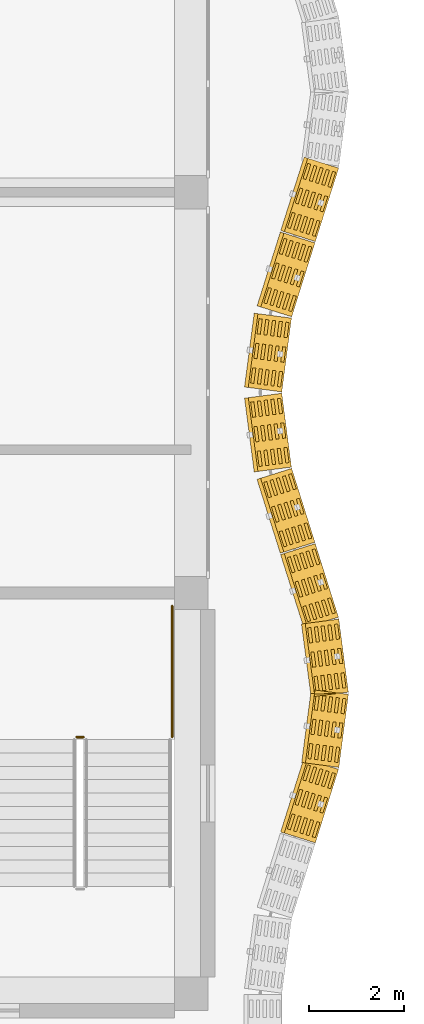
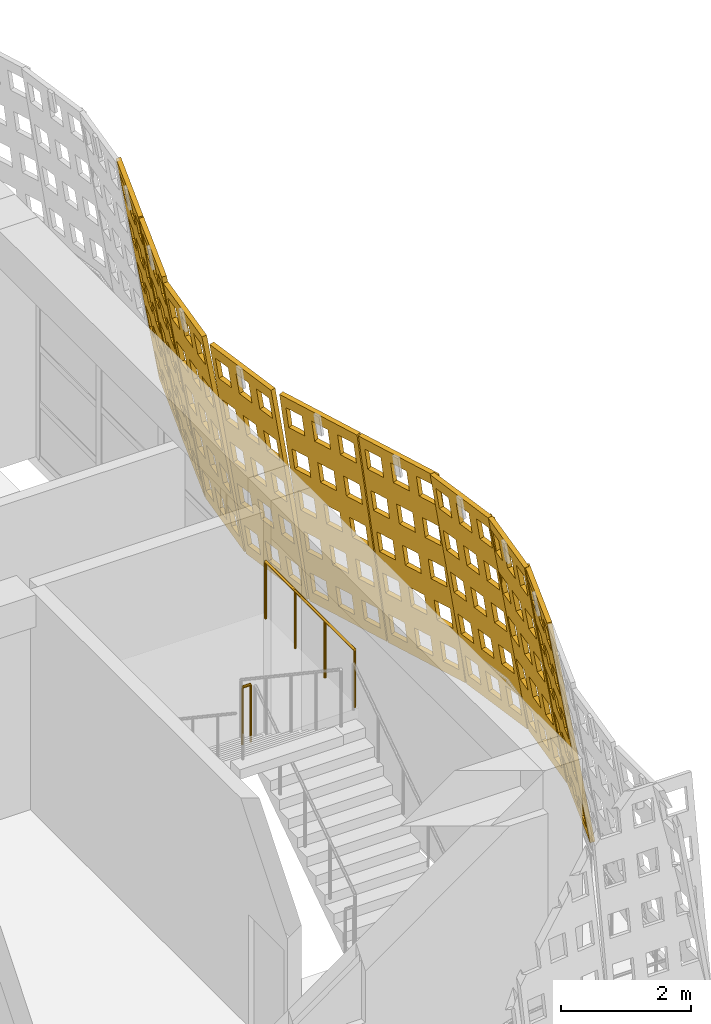
# One storey, part 120 of 162: 9 coverings, 2 railings.
"""IFC4 building model written with IfcOpenShell, lengths in metres."""

from ifc_helpers import new_model, si_unit, direction, frame, origin, origin_2d, place, context, subcontext, project, spatial, polyline, circle, outline, extrude, material, layer, layer_set, type_object, element, save


model = new_model("IFC4")

# Units and contexts
model_context = context("Model", 3, precision=1e-05, world=origin(), true_north=direction((0.0, 1.0)))
body_context = subcontext(model_context, "Body", "Model", "MODEL_VIEW")
ifc_project = project(units=[si_unit("LENGTHUNIT", "METRE"), si_unit("AREAUNIT", "SQUARE_METRE"), si_unit("VOLUMEUNIT", "CUBIC_METRE"), si_unit("PLANEANGLEUNIT", "RADIAN"), si_unit("MASSUNIT", "GRAM", prefix="KILO")], contexts=[model_context])

# Site, building, storey
site_placement = place(None, origin())
site = spatial("IfcSite", under=ifc_project, at=site_placement, CompositionType="ELEMENT")
building_placement = place(site_placement, origin())
building = spatial("IfcBuilding", under=site, at=building_placement, Name="Rain Tree Exposition and Congress Centre", CompositionType="ELEMENT")
storey_placement = place(building_placement, frame((0.0, 0.0, 6.0)))
storey = spatial("IfcBuildingStorey", under=building, at=storey_placement, Name="L01", CompositionType="ELEMENT", Elevation=6.0)

# Coverings
ifc_material_1 = material(Name="Perforated terracotta", Category="masonry")
ifc_layer = layer(ifc_material_1, 0.080078125)
ifc_layer_set = layer_set([ifc_layer], Name="Perforated terracotta")
covering_type = type_object("IfcCoveringType", Name="Terracotta screen 80", PredefinedType="CLADDING", material=ifc_layer_set)
covering_1_placement = place(storey_placement, frame((52.998291015625, 3.150634765625, 0.0126953125), z_axis=(-0.941684688936, 0.296569528658, -0.158985726703), x_axis=(-0.300390227601, -0.953816392794, 0.0)))
element("IfcCovering", 1, at=covering_1_placement, inside=storey, type_object=covering_type, Name="wing/screen/L01/037", PredefinedType="CLADDING", context=body_context, shape_type="SweptSolid", body=[
    extrude(outline(polyline([(-1.62890625, 0.0), (-1.62890625, 4.291259765625), (-0.014892578125, 4.291259765625), (-0.014892578125, 0.0), (-1.62890625, 0.0)]), holes=[polyline([(-0.1171875, 0.221435546875), (-0.1171875, 0.63671875), (-0.45068359375, 0.63671875), (-0.45068359375, 0.221435546875), (-0.1171875, 0.221435546875)]), polyline([(-0.1171875, 1.07958984375), (-0.1171875, 1.4951171875), (-0.45068359375, 1.4951171875), (-0.45068359375, 1.07958984375), (-0.1171875, 1.07958984375)]), polyline([(-0.1171875, 1.93798828125), (-0.1171875, 2.353271484375), (-0.45068359375, 2.353271484375), (-0.45068359375, 1.93798828125), (-0.1171875, 1.93798828125)]), polyline([(-0.1171875, 2.796142578125), (-0.1171875, 3.21142578125), (-0.45068359375, 3.21142578125), (-0.45068359375, 2.796142578125), (-0.1171875, 2.796142578125)]), polyline([(-0.1171875, 3.654541015625), (-0.1171875, 4.06982421875), (-0.45068359375, 4.06982421875), (-0.45068359375, 3.654541015625), (-0.1171875, 3.654541015625)]), polyline([(-0.6552734375, 0.221435546875), (-0.6552734375, 0.63671875), (-0.98876953125, 0.63671875), (-0.98876953125, 0.221435546875), (-0.6552734375, 0.221435546875)]), polyline([(-0.6552734375, 1.07958984375), (-0.6552734375, 1.4951171875), (-0.98876953125, 1.4951171875), (-0.98876953125, 1.07958984375), (-0.6552734375, 1.07958984375)]), polyline([(-0.6552734375, 1.93798828125), (-0.6552734375, 2.353271484375), (-0.98876953125, 2.353271484375), (-0.98876953125, 1.93798828125), (-0.6552734375, 1.93798828125)]), polyline([(-0.6552734375, 2.796142578125), (-0.6552734375, 3.21142578125), (-0.98876953125, 3.21142578125), (-0.98876953125, 2.796142578125), (-0.6552734375, 2.796142578125)]), polyline([(-0.6552734375, 3.654541015625), (-0.6552734375, 4.06982421875), (-0.98876953125, 4.06982421875), (-0.98876953125, 3.654541015625), (-0.6552734375, 3.654541015625)]), polyline([(-1.193115234375, 0.221435546875), (-1.193115234375, 0.63671875), (-1.526611328125, 0.63671875), (-1.526611328125, 0.221435546875), (-1.193115234375, 0.221435546875)]), polyline([(-1.193115234375, 1.07958984375), (-1.193115234375, 1.4951171875), (-1.526611328125, 1.4951171875), (-1.526611328125, 1.07958984375), (-1.193115234375, 1.07958984375)]), polyline([(-1.193115234375, 1.93798828125), (-1.193115234375, 2.353271484375), (-1.526611328125, 2.353271484375), (-1.526611328125, 1.93798828125), (-1.193115234375, 1.93798828125)]), polyline([(-1.193115234375, 2.796142578125), (-1.193115234375, 3.21142578125), (-1.526611328125, 3.21142578125), (-1.526611328125, 2.796142578125), (-1.193115234375, 2.796142578125)]), polyline([(-1.193115234375, 3.654541015625), (-1.193115234375, 4.06982421875), (-1.526611328125, 4.06982421875), (-1.526611328125, 3.654541015625), (-1.193115234375, 3.654541015625)])]), origin(), (0.0, 0.0, 1.0), 0.079833984375),
])
covering_2_placement = place(storey_placement, frame((53.4931640625, 4.725341796875, 0.01318359375), z_axis=(-0.978036007662, 0.127967328105, -0.16452942185), x_axis=(-0.129735338481, -0.991548658387, 0.0)))
element("IfcCovering", 2, at=covering_2_placement, inside=storey, type_object=covering_type, Name="wing/screen/L01/038", PredefinedType="CLADDING", context=body_context, shape_type="SweptSolid", body=[
    extrude(outline(polyline([(-1.56298828125, 0.0), (-1.56298828125, 4.295166015625), (-0.02197265625, 4.295166015625), (-0.02197265625, 0.0), (-1.56298828125, 0.0)]), holes=[polyline([(-0.11962890625, 0.2216796875), (-0.11962890625, 0.63720703125), (-0.43798828125, 0.63720703125), (-0.43798828125, 0.2216796875), (-0.11962890625, 0.2216796875)]), polyline([(-0.11962890625, 1.080810546875), (-0.11962890625, 1.496337890625), (-0.43798828125, 1.496337890625), (-0.43798828125, 1.080810546875), (-0.11962890625, 1.080810546875)]), polyline([(-0.11962890625, 1.939697265625), (-0.11962890625, 2.35546875), (-0.43798828125, 2.35546875), (-0.43798828125, 1.939697265625), (-0.11962890625, 1.939697265625)]), polyline([(-0.11962890625, 2.798583984375), (-0.11962890625, 3.21435546875), (-0.43798828125, 3.21435546875), (-0.43798828125, 2.798583984375), (-0.11962890625, 2.798583984375)]), polyline([(-0.11962890625, 3.65771484375), (-0.11962890625, 4.073486328125), (-0.43798828125, 4.073486328125), (-0.43798828125, 3.65771484375), (-0.11962890625, 3.65771484375)]), polyline([(-0.63330078125, 0.2216796875), (-0.63330078125, 0.63720703125), (-0.95166015625, 0.63720703125), (-0.95166015625, 0.2216796875), (-0.63330078125, 0.2216796875)]), polyline([(-0.63330078125, 1.080810546875), (-0.63330078125, 1.496337890625), (-0.95166015625, 1.496337890625), (-0.95166015625, 1.080810546875), (-0.63330078125, 1.080810546875)]), polyline([(-0.63330078125, 1.939697265625), (-0.63330078125, 2.35546875), (-0.95166015625, 2.35546875), (-0.95166015625, 1.939697265625), (-0.63330078125, 1.939697265625)]), polyline([(-0.63330078125, 2.798583984375), (-0.63330078125, 3.21435546875), (-0.95166015625, 3.21435546875), (-0.95166015625, 2.798583984375), (-0.63330078125, 2.798583984375)]), polyline([(-0.63330078125, 3.65771484375), (-0.63330078125, 4.073486328125), (-0.95166015625, 4.073486328125), (-0.95166015625, 3.65771484375), (-0.63330078125, 3.65771484375)]), polyline([(-1.146728515625, 0.2216796875), (-1.146728515625, 0.63720703125), (-1.46533203125, 0.63720703125), (-1.46533203125, 0.2216796875), (-1.146728515625, 0.2216796875)]), polyline([(-1.146728515625, 1.080810546875), (-1.146728515625, 1.496337890625), (-1.46533203125, 1.496337890625), (-1.46533203125, 1.080810546875), (-1.146728515625, 1.080810546875)]), polyline([(-1.146728515625, 1.939697265625), (-1.146728515625, 2.35546875), (-1.46533203125, 2.35546875), (-1.46533203125, 1.939697265625), (-1.146728515625, 1.939697265625)]), polyline([(-1.146728515625, 2.798583984375), (-1.146728515625, 3.21435546875), (-1.46533203125, 3.21435546875), (-1.46533203125, 2.798583984375), (-1.146728515625, 2.798583984375)]), polyline([(-1.146728515625, 3.65771484375), (-1.146728515625, 4.073486328125), (-1.46533203125, 4.073486328125), (-1.46533203125, 3.65771484375), (-1.146728515625, 3.65771484375)])]), origin(), (0.0, 0.0, 1.0), 0.080078125),
])
covering_3_placement = place(storey_placement, frame((53.697998046875, 6.2998046875, 0.01318359375), z_axis=(-0.9779030419, -0.128349774249, -0.165021138321), x_axis=(0.130133906157, -0.991496427865, 0.0)))
element("IfcCovering", 3, at=covering_3_placement, inside=storey, type_object=covering_type, Name="wing/screen/L01/039", PredefinedType="CLADDING", context=body_context, shape_type="SweptSolid", body=[
    extrude(outline(polyline([(-1.56640625, 0.0), (-1.56640625, 4.295166015625), (-0.025390625, 4.295166015625), (-0.025390625, 0.0), (-1.56640625, 0.0)]), holes=[polyline([(-0.123046875, 0.2216796875), (-0.123046875, 0.63720703125), (-0.44140625, 0.63720703125), (-0.44140625, 0.2216796875), (-0.123046875, 0.2216796875)]), polyline([(-0.123046875, 1.080810546875), (-0.123046875, 1.496337890625), (-0.44140625, 1.496337890625), (-0.44140625, 1.080810546875), (-0.123046875, 1.080810546875)]), polyline([(-0.123046875, 1.939697265625), (-0.123046875, 2.35546875), (-0.44140625, 2.35546875), (-0.44140625, 1.939697265625), (-0.123046875, 1.939697265625)]), polyline([(-0.123046875, 2.798583984375), (-0.123046875, 3.21435546875), (-0.44140625, 3.21435546875), (-0.44140625, 2.798583984375), (-0.123046875, 2.798583984375)]), polyline([(-0.123046875, 3.65771484375), (-0.123046875, 4.073486328125), (-0.44140625, 4.073486328125), (-0.44140625, 3.65771484375), (-0.123046875, 3.65771484375)]), polyline([(-0.63671875, 0.2216796875), (-0.63671875, 0.63720703125), (-0.955078125, 0.63720703125), (-0.955078125, 0.2216796875), (-0.63671875, 0.2216796875)]), polyline([(-0.63671875, 1.080810546875), (-0.63671875, 1.496337890625), (-0.955078125, 1.496337890625), (-0.955078125, 1.080810546875), (-0.63671875, 1.080810546875)]), polyline([(-0.63671875, 1.939697265625), (-0.63671875, 2.35546875), (-0.955078125, 2.35546875), (-0.955078125, 1.939697265625), (-0.63671875, 1.939697265625)]), polyline([(-0.63671875, 2.798583984375), (-0.63671875, 3.21435546875), (-0.955078125, 3.21435546875), (-0.955078125, 2.798583984375), (-0.63671875, 2.798583984375)]), polyline([(-0.63671875, 3.65771484375), (-0.63671875, 4.073486328125), (-0.955078125, 4.073486328125), (-0.955078125, 3.65771484375), (-0.63671875, 3.65771484375)]), polyline([(-1.150146484375, 0.2216796875), (-1.150146484375, 0.63720703125), (-1.46875, 0.63720703125), (-1.46875, 0.2216796875), (-1.150146484375, 0.2216796875)]), polyline([(-1.150146484375, 1.080810546875), (-1.150146484375, 1.496337890625), (-1.46875, 1.496337890625), (-1.46875, 1.080810546875), (-1.150146484375, 1.080810546875)]), polyline([(-1.150146484375, 1.939697265625), (-1.150146484375, 2.35546875), (-1.46875, 2.35546875), (-1.46875, 1.939697265625), (-1.150146484375, 1.939697265625)]), polyline([(-1.150146484375, 2.798583984375), (-1.150146484375, 3.21435546875), (-1.46875, 3.21435546875), (-1.46875, 2.798583984375), (-1.150146484375, 2.798583984375)]), polyline([(-1.150146484375, 3.65771484375), (-1.150146484375, 4.073486328125), (-1.46875, 4.073486328125), (-1.46875, 3.65771484375), (-1.150146484375, 3.65771484375)])]), origin(), (0.0, 0.0, 1.0), 0.079833984375),
])
covering_4_placement = place(storey_placement, frame((53.493408203125, 7.87451171875, 0.0126953125), z_axis=(-0.941176896939, -0.298496232686, -0.158385756119), x_axis=(0.302312226207, -0.953208958144, 0.0)))
element("IfcCovering", 4, at=covering_4_placement, inside=storey, type_object=covering_type, Name="wing/screen/L01/040", PredefinedType="CLADDING", context=body_context, shape_type="SweptSolid", body=[
    extrude(outline(polyline([(-1.635986328125, 0.0), (-1.635986328125, 4.291259765625), (-0.02197265625, 4.291259765625), (-0.02197265625, 0.0), (-1.635986328125, 0.0)]), holes=[polyline([(-0.124267578125, 0.221435546875), (-0.124267578125, 0.63671875), (-0.457763671875, 0.63671875), (-0.457763671875, 0.221435546875), (-0.124267578125, 0.221435546875)]), polyline([(-0.124267578125, 1.07958984375), (-0.124267578125, 1.4951171875), (-0.457763671875, 1.4951171875), (-0.457763671875, 1.07958984375), (-0.124267578125, 1.07958984375)]), polyline([(-0.124267578125, 1.93798828125), (-0.124267578125, 2.353271484375), (-0.457763671875, 2.353271484375), (-0.457763671875, 1.93798828125), (-0.124267578125, 1.93798828125)]), polyline([(-0.124267578125, 2.796142578125), (-0.124267578125, 3.21142578125), (-0.457763671875, 3.21142578125), (-0.457763671875, 2.796142578125), (-0.124267578125, 2.796142578125)]), polyline([(-0.124267578125, 3.654541015625), (-0.124267578125, 4.06982421875), (-0.457763671875, 4.06982421875), (-0.457763671875, 3.654541015625), (-0.124267578125, 3.654541015625)]), polyline([(-0.662109375, 0.221435546875), (-0.662109375, 0.63671875), (-0.995849609375, 0.63671875), (-0.995849609375, 0.221435546875), (-0.662109375, 0.221435546875)]), polyline([(-0.662109375, 1.07958984375), (-0.662109375, 1.4951171875), (-0.995849609375, 1.4951171875), (-0.995849609375, 1.07958984375), (-0.662109375, 1.07958984375)]), polyline([(-0.662109375, 1.93798828125), (-0.662109375, 2.353271484375), (-0.995849609375, 2.353271484375), (-0.995849609375, 1.93798828125), (-0.662109375, 1.93798828125)]), polyline([(-0.662109375, 2.796142578125), (-0.662109375, 3.21142578125), (-0.995849609375, 3.21142578125), (-0.995849609375, 2.796142578125), (-0.662109375, 2.796142578125)]), polyline([(-0.662109375, 3.654541015625), (-0.662109375, 4.06982421875), (-0.995849609375, 4.06982421875), (-0.995849609375, 3.654541015625), (-0.662109375, 3.654541015625)]), polyline([(-1.2001953125, 0.221435546875), (-1.2001953125, 0.63671875), (-1.53369140625, 0.63671875), (-1.53369140625, 0.221435546875), (-1.2001953125, 0.221435546875)]), polyline([(-1.2001953125, 1.07958984375), (-1.2001953125, 1.4951171875), (-1.53369140625, 1.4951171875), (-1.53369140625, 1.07958984375), (-1.2001953125, 1.07958984375)]), polyline([(-1.2001953125, 1.93798828125), (-1.2001953125, 2.353271484375), (-1.53369140625, 2.353271484375), (-1.53369140625, 1.93798828125), (-1.2001953125, 1.93798828125)]), polyline([(-1.2001953125, 2.796142578125), (-1.2001953125, 3.21142578125), (-1.53369140625, 3.21142578125), (-1.53369140625, 2.796142578125), (-1.2001953125, 2.796142578125)]), polyline([(-1.2001953125, 3.654541015625), (-1.2001953125, 4.06982421875), (-1.53369140625, 4.06982421875), (-1.53369140625, 3.654541015625), (-1.2001953125, 3.654541015625)])]), origin(), (0.0, 0.0, 1.0), 0.080078125),
])
covering_5_placement = place(storey_placement, frame((52.998291015625, 9.449462890625, 0.0126953125), z_axis=(-0.941684688936, -0.296569528658, -0.158985726703), x_axis=(0.300390227601, -0.953816392794, 0.0)))
element("IfcCovering", 5, at=covering_5_placement, inside=storey, type_object=covering_type, Name="wing/screen/L01/041", PredefinedType="CLADDING", context=body_context, shape_type="SweptSolid", body=[
    extrude(outline(polyline([(-1.635986328125, 0.0), (-1.635986328125, 4.291259765625), (-0.014892578125, 4.291259765625), (-0.014892578125, 0.0), (-1.635986328125, 0.0)]), holes=[polyline([(-0.11767578125, 0.221435546875), (-0.11767578125, 0.63671875), (-0.45263671875, 0.63671875), (-0.45263671875, 0.221435546875), (-0.11767578125, 0.221435546875)]), polyline([(-0.11767578125, 1.07958984375), (-0.11767578125, 1.4951171875), (-0.45263671875, 1.4951171875), (-0.45263671875, 1.07958984375), (-0.11767578125, 1.07958984375)]), polyline([(-0.11767578125, 1.93798828125), (-0.11767578125, 2.353271484375), (-0.45263671875, 2.353271484375), (-0.45263671875, 1.93798828125), (-0.11767578125, 1.93798828125)]), polyline([(-0.11767578125, 2.796142578125), (-0.11767578125, 3.21142578125), (-0.45263671875, 3.21142578125), (-0.45263671875, 2.796142578125), (-0.11767578125, 2.796142578125)]), polyline([(-0.11767578125, 3.654541015625), (-0.11767578125, 4.06982421875), (-0.45263671875, 4.06982421875), (-0.45263671875, 3.654541015625), (-0.11767578125, 3.654541015625)]), polyline([(-0.657958984375, 0.221435546875), (-0.657958984375, 0.63671875), (-0.992919921875, 0.63671875), (-0.992919921875, 0.221435546875), (-0.657958984375, 0.221435546875)]), polyline([(-0.657958984375, 1.07958984375), (-0.657958984375, 1.4951171875), (-0.992919921875, 1.4951171875), (-0.992919921875, 1.07958984375), (-0.657958984375, 1.07958984375)]), polyline([(-0.657958984375, 1.93798828125), (-0.657958984375, 2.353271484375), (-0.992919921875, 2.353271484375), (-0.992919921875, 1.93798828125), (-0.657958984375, 1.93798828125)]), polyline([(-0.657958984375, 2.796142578125), (-0.657958984375, 3.21142578125), (-0.992919921875, 3.21142578125), (-0.992919921875, 2.796142578125), (-0.657958984375, 2.796142578125)]), polyline([(-0.657958984375, 3.654541015625), (-0.657958984375, 4.06982421875), (-0.992919921875, 4.06982421875), (-0.992919921875, 3.654541015625), (-0.657958984375, 3.654541015625)]), polyline([(-1.1982421875, 0.221435546875), (-1.1982421875, 0.63671875), (-1.533203125, 0.63671875), (-1.533203125, 0.221435546875), (-1.1982421875, 0.221435546875)]), polyline([(-1.1982421875, 1.07958984375), (-1.1982421875, 1.4951171875), (-1.533203125, 1.4951171875), (-1.533203125, 1.07958984375), (-1.1982421875, 1.07958984375)]), polyline([(-1.1982421875, 1.93798828125), (-1.1982421875, 2.353271484375), (-1.533203125, 2.353271484375), (-1.533203125, 1.93798828125), (-1.1982421875, 1.93798828125)]), polyline([(-1.1982421875, 2.796142578125), (-1.1982421875, 3.21142578125), (-1.533203125, 3.21142578125), (-1.533203125, 2.796142578125), (-1.1982421875, 2.796142578125)]), polyline([(-1.1982421875, 3.654541015625), (-1.1982421875, 4.06982421875), (-1.533203125, 4.06982421875), (-1.533203125, 3.654541015625), (-1.1982421875, 3.654541015625)])]), origin(), (0.0, 0.0, 1.0), 0.079833984375),
])
covering_6_placement = place(storey_placement, frame((52.503173828125, 11.024658203125, 0.01318359375), z_axis=(-0.978036007662, -0.127967328105, -0.16452942185), x_axis=(0.129735338481, -0.991548658387, 0.0)))
element("IfcCovering", 6, at=covering_6_placement, inside=storey, type_object=covering_type, Name="wing/screen/L01/042", PredefinedType="CLADDING", context=body_context, shape_type="SweptSolid", body=[
    extrude(outline(polyline([(-1.5732421875, 0.0), (-1.5732421875, 4.295166015625), (-0.014892578125, 4.295166015625), (-0.014892578125, 0.0), (-1.5732421875, 0.0)]), holes=[polyline([(-0.11376953125, 0.2216796875), (-0.11376953125, 0.63720703125), (-0.435791015625, 0.63720703125), (-0.435791015625, 0.2216796875), (-0.11376953125, 0.2216796875)]), polyline([(-0.11376953125, 1.080810546875), (-0.11376953125, 1.496337890625), (-0.435791015625, 1.496337890625), (-0.435791015625, 1.080810546875), (-0.11376953125, 1.080810546875)]), polyline([(-0.11376953125, 1.939697265625), (-0.11376953125, 2.35546875), (-0.435791015625, 2.35546875), (-0.435791015625, 1.939697265625), (-0.11376953125, 1.939697265625)]), polyline([(-0.11376953125, 2.798583984375), (-0.11376953125, 3.21435546875), (-0.435791015625, 3.21435546875), (-0.435791015625, 2.798583984375), (-0.11376953125, 2.798583984375)]), polyline([(-0.11376953125, 3.65771484375), (-0.11376953125, 4.073486328125), (-0.435791015625, 4.073486328125), (-0.435791015625, 3.65771484375), (-0.11376953125, 3.65771484375)]), polyline([(-0.633056640625, 0.2216796875), (-0.633056640625, 0.63720703125), (-0.955078125, 0.63720703125), (-0.955078125, 0.2216796875), (-0.633056640625, 0.2216796875)]), polyline([(-0.633056640625, 1.080810546875), (-0.633056640625, 1.496337890625), (-0.955078125, 1.496337890625), (-0.955078125, 1.080810546875), (-0.633056640625, 1.080810546875)]), polyline([(-0.633056640625, 1.939697265625), (-0.633056640625, 2.35546875), (-0.955078125, 2.35546875), (-0.955078125, 1.939697265625), (-0.633056640625, 1.939697265625)]), polyline([(-0.633056640625, 2.798583984375), (-0.633056640625, 3.21435546875), (-0.955078125, 3.21435546875), (-0.955078125, 2.798583984375), (-0.633056640625, 2.798583984375)]), polyline([(-0.633056640625, 3.65771484375), (-0.633056640625, 4.073486328125), (-0.955078125, 4.073486328125), (-0.955078125, 3.65771484375), (-0.633056640625, 3.65771484375)]), polyline([(-1.152587890625, 0.2216796875), (-1.152587890625, 0.63720703125), (-1.474609375, 0.63720703125), (-1.474609375, 0.2216796875), (-1.152587890625, 0.2216796875)]), polyline([(-1.152587890625, 1.080810546875), (-1.152587890625, 1.496337890625), (-1.474609375, 1.496337890625), (-1.474609375, 1.080810546875), (-1.152587890625, 1.080810546875)]), polyline([(-1.152587890625, 1.939697265625), (-1.152587890625, 2.35546875), (-1.474609375, 2.35546875), (-1.474609375, 1.939697265625), (-1.152587890625, 1.939697265625)]), polyline([(-1.152587890625, 2.798583984375), (-1.152587890625, 3.21435546875), (-1.474609375, 3.21435546875), (-1.474609375, 2.798583984375), (-1.152587890625, 2.798583984375)]), polyline([(-1.152587890625, 3.65771484375), (-1.152587890625, 4.073486328125), (-1.474609375, 4.073486328125), (-1.474609375, 3.65771484375), (-1.152587890625, 3.65771484375)])]), origin(), (0.0, 0.0, 1.0), 0.080078125),
])
covering_7_placement = place(storey_placement, frame((52.298095703125, 12.600341796875, 0.01318359375), z_axis=(-0.9779030419, 0.128349774249, -0.165021138321), x_axis=(-0.130133906157, -0.991496427865, 0.0)))
element("IfcCovering", 7, at=covering_7_placement, inside=storey, type_object=covering_type, Name="wing/screen/L01/043", PredefinedType="CLADDING", context=body_context, shape_type="SweptSolid", body=[
    extrude(outline(polyline([(-1.5732421875, 0.0), (-1.5732421875, 4.295166015625), (-0.014892578125, 4.295166015625), (-0.014892578125, 0.0), (-1.5732421875, 0.0)]), holes=[polyline([(-0.11376953125, 0.2216796875), (-0.11376953125, 0.63720703125), (-0.435791015625, 0.63720703125), (-0.435791015625, 0.2216796875), (-0.11376953125, 0.2216796875)]), polyline([(-0.11376953125, 1.080810546875), (-0.11376953125, 1.496337890625), (-0.435791015625, 1.496337890625), (-0.435791015625, 1.080810546875), (-0.11376953125, 1.080810546875)]), polyline([(-0.11376953125, 1.939697265625), (-0.11376953125, 2.35546875), (-0.435791015625, 2.35546875), (-0.435791015625, 1.939697265625), (-0.11376953125, 1.939697265625)]), polyline([(-0.11376953125, 2.798583984375), (-0.11376953125, 3.21435546875), (-0.435791015625, 3.21435546875), (-0.435791015625, 2.798583984375), (-0.11376953125, 2.798583984375)]), polyline([(-0.11376953125, 3.65771484375), (-0.11376953125, 4.073486328125), (-0.435791015625, 4.073486328125), (-0.435791015625, 3.65771484375), (-0.11376953125, 3.65771484375)]), polyline([(-0.633056640625, 0.2216796875), (-0.633056640625, 0.63720703125), (-0.955078125, 0.63720703125), (-0.955078125, 0.2216796875), (-0.633056640625, 0.2216796875)]), polyline([(-0.633056640625, 1.080810546875), (-0.633056640625, 1.496337890625), (-0.955078125, 1.496337890625), (-0.955078125, 1.080810546875), (-0.633056640625, 1.080810546875)]), polyline([(-0.633056640625, 1.939697265625), (-0.633056640625, 2.35546875), (-0.955078125, 2.35546875), (-0.955078125, 1.939697265625), (-0.633056640625, 1.939697265625)]), polyline([(-0.633056640625, 2.798583984375), (-0.633056640625, 3.21435546875), (-0.955078125, 3.21435546875), (-0.955078125, 2.798583984375), (-0.633056640625, 2.798583984375)]), polyline([(-0.633056640625, 3.65771484375), (-0.633056640625, 4.073486328125), (-0.955078125, 4.073486328125), (-0.955078125, 3.65771484375), (-0.633056640625, 3.65771484375)]), polyline([(-1.152587890625, 0.2216796875), (-1.152587890625, 0.63720703125), (-1.474609375, 0.63720703125), (-1.474609375, 0.2216796875), (-1.152587890625, 0.2216796875)]), polyline([(-1.152587890625, 1.080810546875), (-1.152587890625, 1.496337890625), (-1.474609375, 1.496337890625), (-1.474609375, 1.080810546875), (-1.152587890625, 1.080810546875)]), polyline([(-1.152587890625, 1.939697265625), (-1.152587890625, 2.35546875), (-1.474609375, 2.35546875), (-1.474609375, 1.939697265625), (-1.152587890625, 1.939697265625)]), polyline([(-1.152587890625, 2.798583984375), (-1.152587890625, 3.21435546875), (-1.474609375, 3.21435546875), (-1.474609375, 2.798583984375), (-1.152587890625, 2.798583984375)]), polyline([(-1.152587890625, 3.65771484375), (-1.152587890625, 4.073486328125), (-1.474609375, 4.073486328125), (-1.474609375, 3.65771484375), (-1.152587890625, 3.65771484375)])]), origin(), (0.0, 0.0, 1.0), 0.079833984375),
])
covering_8_placement = place(storey_placement, frame((52.50341796875, 14.175537109375, 0.0126953125), z_axis=(-0.942029390639, 0.295717964052, -0.158529217842), x_axis=(-0.29950542383, -0.954094597562, 0.0)))
element("IfcCovering", 8, at=covering_8_placement, inside=storey, type_object=covering_type, Name="wing/screen/L01/044", PredefinedType="CLADDING", context=body_context, shape_type="SweptSolid", body=[
    extrude(outline(polyline([(-1.635986328125, 0.0), (-1.635986328125, 4.291259765625), (-0.014892578125, 4.291259765625), (-0.014892578125, 0.0), (-1.635986328125, 0.0)]), holes=[polyline([(-0.11767578125, 0.221435546875), (-0.11767578125, 0.63671875), (-0.45263671875, 0.63671875), (-0.45263671875, 0.221435546875), (-0.11767578125, 0.221435546875)]), polyline([(-0.11767578125, 1.07958984375), (-0.11767578125, 1.4951171875), (-0.45263671875, 1.4951171875), (-0.45263671875, 1.07958984375), (-0.11767578125, 1.07958984375)]), polyline([(-0.11767578125, 1.93798828125), (-0.11767578125, 2.353271484375), (-0.45263671875, 2.353271484375), (-0.45263671875, 1.93798828125), (-0.11767578125, 1.93798828125)]), polyline([(-0.11767578125, 2.796142578125), (-0.11767578125, 3.21142578125), (-0.45263671875, 3.21142578125), (-0.45263671875, 2.796142578125), (-0.11767578125, 2.796142578125)]), polyline([(-0.11767578125, 3.654541015625), (-0.11767578125, 4.06982421875), (-0.45263671875, 4.06982421875), (-0.45263671875, 3.654541015625), (-0.11767578125, 3.654541015625)]), polyline([(-0.657958984375, 0.221435546875), (-0.657958984375, 0.63671875), (-0.992919921875, 0.63671875), (-0.992919921875, 0.221435546875), (-0.657958984375, 0.221435546875)]), polyline([(-0.657958984375, 1.07958984375), (-0.657958984375, 1.4951171875), (-0.992919921875, 1.4951171875), (-0.992919921875, 1.07958984375), (-0.657958984375, 1.07958984375)]), polyline([(-0.657958984375, 1.93798828125), (-0.657958984375, 2.353271484375), (-0.992919921875, 2.353271484375), (-0.992919921875, 1.93798828125), (-0.657958984375, 1.93798828125)]), polyline([(-0.657958984375, 2.796142578125), (-0.657958984375, 3.21142578125), (-0.992919921875, 3.21142578125), (-0.992919921875, 2.796142578125), (-0.657958984375, 2.796142578125)]), polyline([(-0.657958984375, 3.654541015625), (-0.657958984375, 4.06982421875), (-0.992919921875, 4.06982421875), (-0.992919921875, 3.654541015625), (-0.657958984375, 3.654541015625)]), polyline([(-1.1982421875, 0.221435546875), (-1.1982421875, 0.63671875), (-1.533203125, 0.63671875), (-1.533203125, 0.221435546875), (-1.1982421875, 0.221435546875)]), polyline([(-1.1982421875, 1.07958984375), (-1.1982421875, 1.4951171875), (-1.533203125, 1.4951171875), (-1.533203125, 1.07958984375), (-1.1982421875, 1.07958984375)]), polyline([(-1.1982421875, 1.93798828125), (-1.1982421875, 2.353271484375), (-1.533203125, 2.353271484375), (-1.533203125, 1.93798828125), (-1.1982421875, 1.93798828125)]), polyline([(-1.1982421875, 2.796142578125), (-1.1982421875, 3.21142578125), (-1.533203125, 3.21142578125), (-1.533203125, 2.796142578125), (-1.1982421875, 2.796142578125)]), polyline([(-1.1982421875, 3.654541015625), (-1.1982421875, 4.06982421875), (-1.533203125, 4.06982421875), (-1.533203125, 3.654541015625), (-1.1982421875, 3.654541015625)])]), origin(), (0.0, 0.0, 1.0), 0.080078125),
])
covering_9_placement = place(storey_placement, frame((52.998291015625, 15.75048828125, 0.0126953125), z_axis=(-0.940827598844, 0.299354235996, -0.158841023181), x_axis=(-0.303203657277, -0.952925780013, 0.0)))
element("IfcCovering", 9, at=covering_9_placement, inside=storey, type_object=covering_type, Name="wing/screen/L01/045", PredefinedType="CLADDING", context=body_context, shape_type="SweptSolid", body=[
    extrude(outline(polyline([(-1.62890625, 0.0), (-1.62890625, 4.291259765625), (-0.014892578125, 4.291259765625), (-0.014892578125, 0.0), (-1.62890625, 0.0)]), holes=[polyline([(-0.1171875, 0.221435546875), (-0.1171875, 0.63671875), (-0.45068359375, 0.63671875), (-0.45068359375, 0.221435546875), (-0.1171875, 0.221435546875)]), polyline([(-0.1171875, 1.07958984375), (-0.1171875, 1.4951171875), (-0.45068359375, 1.4951171875), (-0.45068359375, 1.07958984375), (-0.1171875, 1.07958984375)]), polyline([(-0.1171875, 1.93798828125), (-0.1171875, 2.353271484375), (-0.45068359375, 2.353271484375), (-0.45068359375, 1.93798828125), (-0.1171875, 1.93798828125)]), polyline([(-0.1171875, 2.796142578125), (-0.1171875, 3.21142578125), (-0.45068359375, 3.21142578125), (-0.45068359375, 2.796142578125), (-0.1171875, 2.796142578125)]), polyline([(-0.1171875, 3.654541015625), (-0.1171875, 4.06982421875), (-0.45068359375, 4.06982421875), (-0.45068359375, 3.654541015625), (-0.1171875, 3.654541015625)]), polyline([(-0.6552734375, 0.221435546875), (-0.6552734375, 0.63671875), (-0.98876953125, 0.63671875), (-0.98876953125, 0.221435546875), (-0.6552734375, 0.221435546875)]), polyline([(-0.6552734375, 1.07958984375), (-0.6552734375, 1.4951171875), (-0.98876953125, 1.4951171875), (-0.98876953125, 1.07958984375), (-0.6552734375, 1.07958984375)]), polyline([(-0.6552734375, 1.93798828125), (-0.6552734375, 2.353271484375), (-0.98876953125, 2.353271484375), (-0.98876953125, 1.93798828125), (-0.6552734375, 1.93798828125)]), polyline([(-0.6552734375, 2.796142578125), (-0.6552734375, 3.21142578125), (-0.98876953125, 3.21142578125), (-0.98876953125, 2.796142578125), (-0.6552734375, 2.796142578125)]), polyline([(-0.6552734375, 3.654541015625), (-0.6552734375, 4.06982421875), (-0.98876953125, 4.06982421875), (-0.98876953125, 3.654541015625), (-0.6552734375, 3.654541015625)]), polyline([(-1.193115234375, 0.221435546875), (-1.193115234375, 0.63671875), (-1.526611328125, 0.63671875), (-1.526611328125, 0.221435546875), (-1.193115234375, 0.221435546875)]), polyline([(-1.193115234375, 1.07958984375), (-1.193115234375, 1.4951171875), (-1.526611328125, 1.4951171875), (-1.526611328125, 1.07958984375), (-1.193115234375, 1.07958984375)]), polyline([(-1.193115234375, 1.93798828125), (-1.193115234375, 2.353271484375), (-1.526611328125, 2.353271484375), (-1.526611328125, 1.93798828125), (-1.193115234375, 1.93798828125)]), polyline([(-1.193115234375, 2.796142578125), (-1.193115234375, 3.21142578125), (-1.526611328125, 3.21142578125), (-1.526611328125, 2.796142578125), (-1.193115234375, 2.796142578125)]), polyline([(-1.193115234375, 3.654541015625), (-1.193115234375, 4.06982421875), (-1.526611328125, 4.06982421875), (-1.526611328125, 3.654541015625), (-1.193115234375, 3.654541015625)])]), origin(), (0.0, 0.0, 1.0), 0.079833984375),
])

# Railings
ifc_material_2 = material(Name="Steel S355J2H", Category="steel")
railing_type = type_object("IfcRailingType", Name="Wing stair guard 1100", PredefinedType="GUARDRAIL", material=ifc_material_2)
railing_1_placement = place(storey_placement, frame((48.14990234375, 5.3798828125, 2.25)))
element("IfcRailing", 10, at=railing_1_placement, inside=storey, type_object=railing_type, Name="L01 ST-W2 stair guard 2", PredefinedType="GUARDRAIL", context=body_context, shape_type="SweptSolid", body=[
    extrude(circle(Radius=0.02392578125, at=origin_2d()), frame((0.0, 0.0, 1.076171875), z_axis=(-1.0, 0.0, 0.0), x_axis=(0.0, -1.0, 0.0)), (0.0, 0.0, 1.0), 0.14990234375),
    extrude(circle(Radius=0.02099609375, at=origin_2d()), origin(), (0.0, 0.0, 1.0), 1.052001953125),
    extrude(circle(Radius=0.02099609375, at=origin_2d()), frame((-0.14990234375, 0.0, 0.0)), (0.0, 0.0, 1.0), 1.052001953125),
])
railing_2_placement = place(storey_placement, frame((50.0029296875, 5.3798828125, 2.25)))
element("IfcRailing", 11, at=railing_2_placement, inside=storey, type_object=railing_type, Name="wing/stair/ST-W2-L01-LG1", PredefinedType="GUARDRAIL", context=body_context, shape_type="SweptSolid", body=[
    extrude(circle(Radius=0.02392578125, at=origin_2d()), frame((0.0, 0.0, 1.076171875), z_axis=(0.0, 1.0, 0.0), x_axis=(-1.0, 0.0, 0.0)), (0.0, 0.0, 1.0), 2.748046875),
    extrude(circle(Radius=0.02099609375, at=origin_2d()), origin(), (0.0, 0.0, 1.0), 1.052001953125),
    extrude(circle(Radius=0.02099609375, at=origin_2d()), frame((0.0, 0.916015625, 0.0)), (0.0, 0.0, 1.0), 1.052001953125),
    extrude(circle(Radius=0.02099609375, at=origin_2d()), frame((0.0, 1.83203125, 0.0)), (0.0, 0.0, 1.0), 1.052001953125),
    extrude(circle(Radius=0.02099609375, at=origin_2d()), frame((0.0, 2.748046875, 0.0)), (0.0, 0.0, 1.0), 1.052001953125),
])

save(model, "model.ifc")
